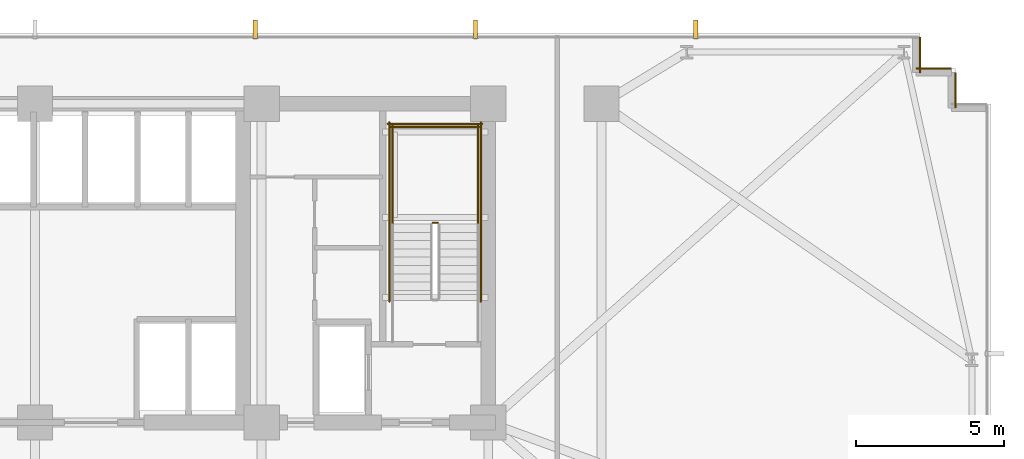
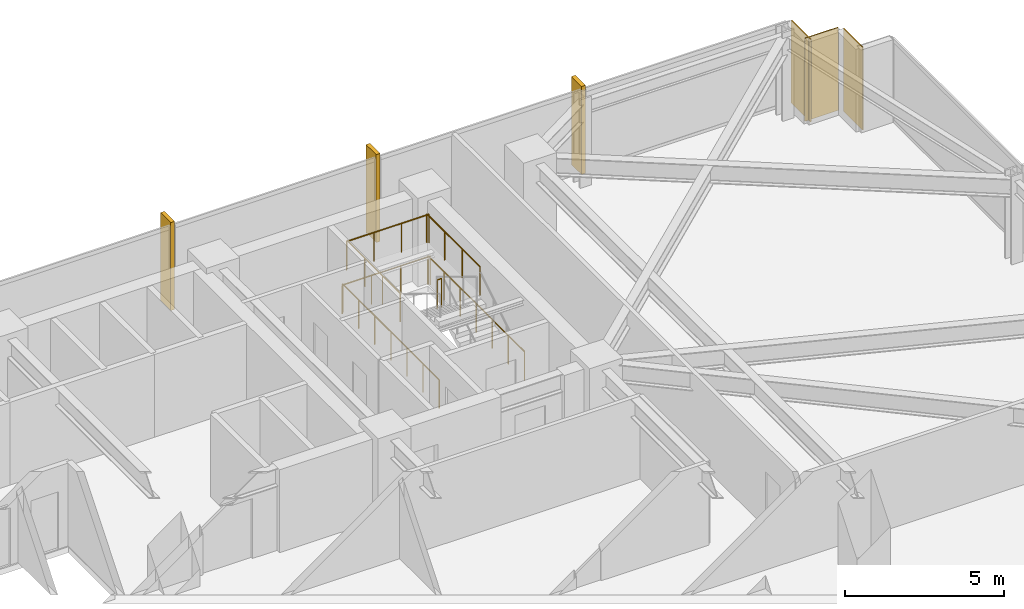
# One storey, part 31 of 32: 7 railings, 3 coverings, 3 shading devices.
"""IFC4 building model written with IfcOpenShell, lengths in metres."""

from ifc_helpers import new_model, si_unit, direction, frame, frame_2d, origin, origin_2d, place, context, subcontext, project, spatial, rectangle, circle, extrude, material, layer, layer_set, type_object, element, save


model = new_model("IFC4")

# Units and contexts
model_context = context("Model", 3, precision=1e-05, world=origin(), true_north=direction((0.0, 1.0)))
body_context = subcontext(model_context, "Body", "Model", "MODEL_VIEW")
ifc_project = project(units=[si_unit("LENGTHUNIT", "METRE"), si_unit("AREAUNIT", "SQUARE_METRE"), si_unit("VOLUMEUNIT", "CUBIC_METRE"), si_unit("PLANEANGLEUNIT", "RADIAN"), si_unit("MASSUNIT", "GRAM", prefix="KILO")], contexts=[model_context])

# Site, building, storey
site_placement = place(None, origin())
site = spatial("IfcSite", under=ifc_project, at=site_placement, CompositionType="ELEMENT")
building_placement = place(site_placement, origin())
building = spatial("IfcBuilding", under=site, at=building_placement, Name="Yelkora Congress Tower", CompositionType="ELEMENT")
storey_placement = place(building_placement, frame((0.0, 0.0, 57.60009765625)))
storey = spatial("IfcBuildingStorey", under=building, at=storey_placement, Name="L14", CompositionType="ELEMENT", Elevation=57.60009765625)

# Coverings
ifc_material_1 = material(Name="Anatolian bush-hammered limestone", Category="masonry")
ifc_layer_1 = layer(ifc_material_1, 0.0400390625)
ifc_layer_set_1 = layer_set([ifc_layer_1], Name="Anatolian bush-hammered limestone")
covering_type = type_object("IfcCoveringType", Name="COV-CLAD-SPANDREL-40", PredefinedType="CLADDING", material=ifc_layer_set_1)
for number, where, z_axis, x_axis, name in (
    (1, (68.39501953125, 48.4599609375, 0.0), (0.0, 0.0, 1.0), (0.0, -1.0, 0.0), "L14 Anatolian Limestone Cladding EW-L14-SR11"),
    (2, (68.260009765625, 47.39501953125, 0.0), (0.0, 0.0, 1.0), (1.0, 0.0, 0.0), "L14 Anatolian Limestone Cladding EW-L14-SR12"),
    (3, (69.594970703125, 47.260009765625, 0.0), (0.0, 0.0, 1.0), (0.0, -1.0, 0.0), "L14 Anatolian Limestone Cladding EW-L14-SR13"),
):
    element("IfcCovering", number, at=place(storey_placement, frame(where, z_axis=z_axis, x_axis=x_axis)), inside=storey, type_object=covering_type, Name=name, PredefinedType="CLADDING", context=body_context, shape_type="SweptSolid", body=[
        extrude(rectangle(XDim=1.199951171875, YDim=0.0400390625, at=frame_2d((0.60009765625, 0.0))), origin(), (0.0, 0.0, 1.0), 3.179931640625),
    ])

# Railings
ifc_material_2 = material(Name="Painted galvanised steel stair well guard with vertical infill", Category="steel")
ifc_layer_2 = layer(ifc_material_2, 0.06005859375)
ifc_layer_set_2 = layer_set([ifc_layer_2], Name="Painted galvanised steel stair well guard with vertical infill")
railing_type = type_object("IfcRailingType", Name="RAIL-STAIR-GUARD-1120", PredefinedType="GUARDRAIL", material=ifc_layer_set_2)
railing_1_placement = place(storey_placement, frame((52.0400390625, 42.169921875, 1.699951171875)))
element("IfcRailing", 4, at=railing_1_placement, inside=storey, type_object=railing_type, Name="ST-02 L14 Stair Well Guardrail 2", PredefinedType="GUARDRAIL", context=body_context, shape_type="SweptSolid", body=[
    extrude(circle(Radius=0.02392578125, at=origin_2d()), frame((0.0, 0.0, 1.09619140625), z_axis=(-1.0, 0.0, 0.0), x_axis=(0.0, -1.0, 0.0)), (0.0, 0.0, 1.0), 0.16015625),
    extrude(circle(Radius=0.02099609375, at=origin_2d()), origin(), (0.0, 0.0, 1.0), 1.072021484375),
    extrude(circle(Radius=0.02099609375, at=origin_2d()), frame((-0.16015625, 0.0, 0.0)), (0.0, 0.0, 1.0), 1.072021484375),
])
for number, where, name in (
    (5, (53.409912109375, 42.1201171875, 1.699951171875), "ST-02 L14 Stair Well Guardrail 3"),
    (6, (50.510009765625, 42.1201171875, 1.699951171875), "ST-02 L14 Stair Well Guardrail 4"),
):
    element("IfcRailing", number, at=place(storey_placement, frame(where)), inside=storey, type_object=railing_type, Name=name, PredefinedType="GUARDRAIL", context=body_context, shape_type="SweptSolid", body=[
        extrude(circle(Radius=0.02392578125, at=origin_2d()), frame((0.0, 0.0, 1.09619140625), z_axis=(0.0, 1.0, 0.0), x_axis=(-1.0, 0.0, 0.0)), (0.0, 0.0, 1.0), 3.349853515625),
        extrude(circle(Radius=0.02099609375, at=origin_2d()), origin(), (0.0, 0.0, 1.0), 1.072021484375),
        extrude(circle(Radius=0.02099609375, at=origin_2d()), frame((0.0, 1.11669921875, 0.0)), (0.0, 0.0, 1.0), 1.072021484375),
        extrude(circle(Radius=0.02099609375, at=origin_2d()), frame((0.0, 2.233154296875, 0.0)), (0.0, 0.0, 1.0), 1.072021484375),
        extrude(circle(Radius=0.02099609375, at=origin_2d()), frame((0.0, 3.349853515625, 0.0)), (0.0, 0.0, 1.0), 1.072021484375),
    ])
railing_2_placement = place(storey_placement, frame((53.4599609375, 45.419921875, 1.699951171875)))
element("IfcRailing", 7, at=railing_2_placement, inside=storey, type_object=railing_type, Name="ST-02 L14 Stair Well Guardrail 5", PredefinedType="GUARDRAIL", context=body_context, shape_type="SweptSolid", body=[
    extrude(circle(Radius=0.02392578125, at=origin_2d()), frame((0.0, 0.0, 1.09619140625), z_axis=(-1.0, 0.0, 0.0), x_axis=(0.0, -1.0, 0.0)), (0.0, 0.0, 1.0), 3.0),
    extrude(circle(Radius=0.02099609375, at=origin_2d()), origin(), (0.0, 0.0, 1.0), 1.072021484375),
    extrude(circle(Radius=0.02099609375, at=origin_2d()), frame((-1.0, 0.0, 0.0)), (0.0, 0.0, 1.0), 1.072021484375),
    extrude(circle(Radius=0.02099609375, at=origin_2d()), frame((-2.0, 0.0, 0.0)), (0.0, 0.0, 1.0), 1.072021484375),
    extrude(circle(Radius=0.02099609375, at=origin_2d()), frame((-3.0, 0.0, 0.0)), (0.0, 0.0, 1.0), 1.072021484375),
])
for number, where, name in (
    (8, (53.510009765625, 39.5, 0.0), "ST-02 L14 Stair Well Guardrail 10"),
    (9, (50.409912109375, 39.5, 0.0), "ST-02 L14 Stair Well Guardrail 11"),
):
    element("IfcRailing", number, at=place(storey_placement, frame(where)), inside=storey, type_object=railing_type, Name=name, PredefinedType="GUARDRAIL", context=body_context, shape_type="SweptSolid", body=[
        extrude(circle(Radius=0.02392578125, at=origin_2d()), frame((0.0, 0.0, 1.09619140625), z_axis=(0.0, 1.0, 0.0), x_axis=(-1.0, 0.0, 0.0)), (0.0, 0.0, 1.0), 6.070068359375),
        extrude(circle(Radius=0.02099609375, at=origin_2d()), origin(), (0.0, 0.0, 1.0), 1.072021484375),
        extrude(circle(Radius=0.02099609375, at=origin_2d()), frame((0.0, 1.01171875, 0.0)), (0.0, 0.0, 1.0), 1.072021484375),
        extrude(circle(Radius=0.02099609375, at=origin_2d()), frame((0.0, 2.0234375, 0.0)), (0.0, 0.0, 1.0), 1.072021484375),
        extrude(circle(Radius=0.02099609375, at=origin_2d()), frame((0.0, 3.03515625, 0.0)), (0.0, 0.0, 1.0), 1.072021484375),
        extrude(circle(Radius=0.02099609375, at=origin_2d()), frame((0.0, 4.046630859375, 0.0)), (0.0, 0.0, 1.0), 1.072021484375),
        extrude(circle(Radius=0.02099609375, at=origin_2d()), frame((0.0, 5.058349609375, 0.0)), (0.0, 0.0, 1.0), 1.072021484375),
        extrude(circle(Radius=0.02099609375, at=origin_2d()), frame((0.0, 6.070068359375, 0.0)), (0.0, 0.0, 1.0), 1.072021484375),
    ])
railing_3_placement = place(storey_placement, frame((53.56005859375, 45.52001953125, 0.0)))
element("IfcRailing", 10, at=railing_3_placement, inside=storey, type_object=railing_type, Name="ST-02 L14 Stair Well Guardrail 12", PredefinedType="GUARDRAIL", context=body_context, shape_type="SweptSolid", body=[
    extrude(circle(Radius=0.02392578125, at=origin_2d()), frame((0.0, 0.0, 1.09619140625), z_axis=(-1.0, 0.0, 0.0), x_axis=(0.0, -1.0, 0.0)), (0.0, 0.0, 1.0), 3.199951171875),
    extrude(circle(Radius=0.02099609375, at=origin_2d()), origin(), (0.0, 0.0, 1.0), 1.072021484375),
    extrude(circle(Radius=0.02099609375, at=origin_2d()), frame((-1.066650390625, 0.0, 0.0)), (0.0, 0.0, 1.0), 1.072021484375),
    extrude(circle(Radius=0.02099609375, at=origin_2d()), frame((-2.13330078125, 0.0, 0.0)), (0.0, 0.0, 1.0), 1.072021484375),
    extrude(circle(Radius=0.02099609375, at=origin_2d()), frame((-3.199951171875, 0.0, 0.0)), (0.0, 0.0, 1.0), 1.072021484375),
])

# Shading devices
ifc_material_3 = material(Name="Champagne anodised aluminium", Category="aluminium")
ifc_layer_3 = layer(ifc_material_3, 3.39990234375)
ifc_layer_set_3 = layer_set([ifc_layer_3], Name="Champagne anodised aluminium")
shading_device_type = type_object("IfcShadingDeviceType", Name="SHD-FIN-ALU-640", PredefinedType="USERDEFINED", material=ifc_layer_set_3)
for number, where, z_axis, x_axis, name in (
    (11, (45.864990234375, 48.719970703125, -0.030029296875), (0.0, 0.0, 1.0), (1.0, 0.0, 0.0), "L14 Vertical Anodised Solar Fin 10-5"),
    (12, (53.330078125, 48.719970703125, -0.030029296875), (0.0, 0.0, 1.0), (1.0, 0.0, 0.0), "L14 Vertical Anodised Solar Fin 10-6"),
    (13, (60.794921875, 48.719970703125, -0.030029296875), (0.0, 0.0, 1.0), (1.0, 0.0, 0.0), "L14 Vertical Anodised Solar Fin 10-7"),
):
    element("IfcShadingDevice", number, at=place(storey_placement, frame(where, z_axis=z_axis, x_axis=x_axis)), inside=storey, type_object=shading_device_type, Name=name, ObjectType="FIN", PredefinedType="USERDEFINED", context=body_context, shape_type="SweptSolid", body=[
        extrude(rectangle(XDim=0.139892578125, YDim=0.639892578125, at=origin_2d()), origin(), (0.0, 0.0, 1.0), 3.3798828125),
    ])

save(model, "model.ifc")
